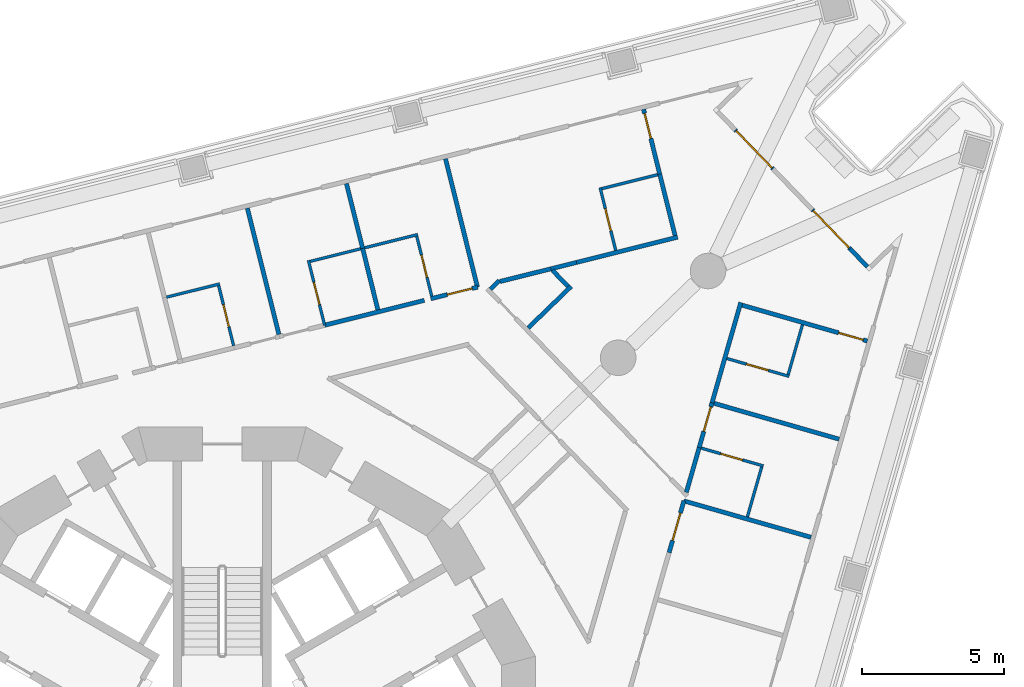
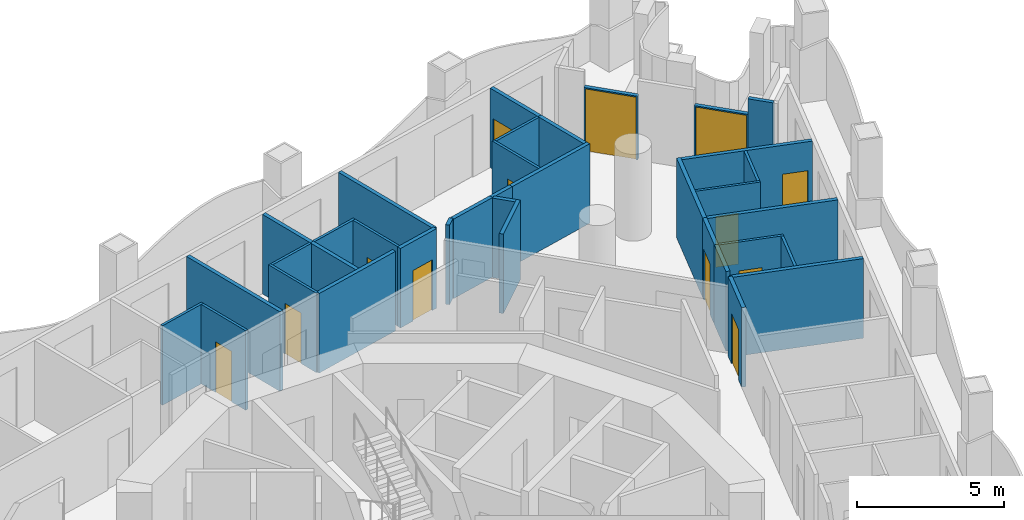
# One storey, part 10 of 19: 36 walls, 13 doors, 13 openings.
"""IFC4 building model written with IfcOpenShell, lengths in metres."""

from ifc_helpers import new_model, si_unit, direction, frame, frame_2d, origin, place, context, subcontext, project, spatial, polyline, rectangle, outline, extrude, material, layer, layer_set, type_object, element, fill, save


model = new_model("IFC4")

# Units and contexts
model_context = context("Model", 3, precision=1e-05, world=origin(), true_north=direction((0.0, 1.0)))
body_context = subcontext(model_context, "Body", "Model", "MODEL_VIEW")
ifc_project = project(units=[si_unit("LENGTHUNIT", "METRE"), si_unit("AREAUNIT", "SQUARE_METRE"), si_unit("VOLUMEUNIT", "CUBIC_METRE"), si_unit("PLANEANGLEUNIT", "RADIAN"), si_unit("MASSUNIT", "GRAM", prefix="KILO")], contexts=[model_context])

# Site, building, storey
site_placement = place(None, origin())
site = spatial("IfcSite", under=ifc_project, at=site_placement, CompositionType="ELEMENT")
building_placement = place(site_placement, origin())
building = spatial("IfcBuilding", under=site, at=building_placement, Name="Trine Commons Tower", CompositionType="ELEMENT")
storey_placement = place(building_placement, frame((0.0, 0.0, 98.10009765625)))
storey = spatial("IfcBuildingStorey", under=building, at=storey_placement, Name="L24", CompositionType="ELEMENT", Elevation=98.10009765625)

# Wall, opening, door
ifc_material_1 = material(Name="Aluminium-framed insulated wall panel", Category="aluminium")
ifc_layer_1 = layer(ifc_material_1, 0.14990234375)
ifc_layer_set_1 = layer_set([ifc_layer_1], Name="Aluminium-framed insulated wall panel")
wall_type_1 = type_object("IfcWallType", Name="Glazed frame wall 150, EI 60", PredefinedType="SOLIDWALL", material=ifc_layer_set_1)
wall_1_placement = place(storey_placement, frame((98.035400390625, 83.9482421875, 0.0), z_axis=(0.0, 0.0, 1.0), x_axis=(0.694665586762, -0.719332831566, 0.0)))
wall_1 = element("IfcWall", 1, at=wall_1_placement, inside=storey, type_object=wall_type_1, Name="Glazed frame wall P2.2", PredefinedType="SOLIDWALL", context=body_context, shape_type="SweptSolid", body=[
    extrude(outline(polyline([(0.0, -0.074951171875), (1.89990234375, -0.074951171875), (1.89990234375, 0.074951171875), (0.0, 0.074951171875), (0.0, -0.074951171875)])), origin(), (0.0, 0.0, 1.0), 2.64990234375),
])
opening_1_placement = place(wall_1_placement, frame((0.050048828125, 0.0, 0.0)))
opening_1 = element("IfcOpeningElement", 2, at=opening_1_placement, cuts=wall_1, Name="Opening BD-3P2-01", PredefinedType="OPENING", context=body_context, shape_type="SweptSolid", body=[
    extrude(rectangle(XDim=1.800048828125, YDim=2.60009765625, at=frame_2d((0.89990234375, 1.300048828125))), frame((0.0, 0.0849609375, 0.0), z_axis=(0.0, -1.0, 0.0), x_axis=(1.0, 0.0, 0.0)), (0.0, 0.0, 1.0), 0.169921875),
])
ifc_material_2 = material(Name="Anodised aluminium frame with double glazing", Category="aluminium")
door_type_1 = type_object("IfcDoorType", Name="Sliding loggia door 1800x2600", OperationType="SLIDING_TO_LEFT", PredefinedType="DOOR", material=ifc_material_2)
door_1_placement = place(opening_1_placement, origin())
door_1 = element("IfcDoor", 3, at=door_1_placement, inside=storey, type_object=door_type_1, Name="Loggia door P2 1", OperationType="SLIDING_TO_LEFT", OverallHeight=2.60009765625, OverallWidth=1.800048828125, PredefinedType="DOOR", context=body_context, shape_type="SweptSolid", body=[
    extrude(rectangle(XDim=1.800048828125, YDim=2.60009765625, at=frame_2d((0.89990234375, 1.300048828125))), frame((0.0, 0.02490234375, 0.0), z_axis=(0.0, -1.0, 0.0), x_axis=(1.0, 0.0, 0.0)), (0.0, 0.0, 1.0), 0.050048828125),
])
fill(opening_1, door_1)

wall_2_placement = place(storey_placement, frame((100.74462890625, 81.142822265625, 0.0), z_axis=(0.0, 0.0, 1.0), x_axis=(0.694599099672, -0.719397032753, 0.0)))
wall_2 = element("IfcWall", 4, at=wall_2_placement, inside=storey, type_object=wall_type_1, Name="Glazed frame wall P2.4", PredefinedType="SOLIDWALL", context=body_context, shape_type="SweptSolid", body=[
    extrude(outline(polyline([(0.0, -0.074951171875), (1.89990234375, -0.074951171875), (1.89990234375, 0.074951171875), (0.0, 0.074951171875), (0.0, -0.074951171875)])), origin(), (0.0, 0.0, 1.0), 2.64990234375),
])
opening_2_placement = place(wall_2_placement, frame((0.050048828125, 0.0, 0.0)))
opening_2 = element("IfcOpeningElement", 5, at=opening_2_placement, cuts=wall_2, Name="Opening BD-3P2-02", PredefinedType="OPENING", context=body_context, shape_type="SweptSolid", body=[
    extrude(rectangle(XDim=1.800048828125, YDim=2.60009765625, at=frame_2d((0.89990234375, 1.300048828125))), frame((0.0, 0.0849609375, 0.0), z_axis=(0.0, -1.0, 0.0), x_axis=(1.0, 0.0, 0.0)), (0.0, 0.0, 1.0), 0.169921875),
])
door_2_placement = place(opening_2_placement, origin())
door_2 = element("IfcDoor", 6, at=door_2_placement, inside=storey, type_object=door_type_1, Name="Loggia door P2 2", OperationType="SLIDING_TO_LEFT", OverallHeight=2.60009765625, OverallWidth=1.800048828125, PredefinedType="DOOR", context=body_context, shape_type="SweptSolid", body=[
    extrude(rectangle(XDim=1.800048828125, YDim=2.60009765625, at=frame_2d((0.89990234375, 1.300048828125))), frame((0.0, 0.02490234375, 0.0), z_axis=(0.0, -1.0, 0.0), x_axis=(1.0, 0.0, 0.0)), (0.0, 0.0, 1.0), 0.050048828125),
])
fill(opening_2, door_2)

# Walls
wall_3_placement = place(storey_placement, frame((102.064453125, 79.77587890625, 0.0), z_axis=(0.0, 0.0, 1.0), x_axis=(0.694794898962, -0.719207931252, 0.0)))
element("IfcWall", 7, at=wall_3_placement, inside=storey, type_object=wall_type_1, Name="Glazed frame wall P2.5", PredefinedType="SOLIDWALL", context=body_context, shape_type="SweptSolid", body=[
    extrude(outline(polyline([(0.889892578125, 0.074951171875), (0.0, 0.074951171875), (0.0, -0.074951171875), (0.889892578125, -0.074951171875), (0.889892578125, 0.074951171875)])), origin(), (0.0, 0.0, 1.0), 3.2998046875),
])
ifc_material_3 = material(Name="Gypsum plasterboard on steel stud", Category="steel")
ifc_layer_2 = layer(ifc_material_3, 0.14990234375)
ifc_layer_set_2 = layer_set([ifc_layer_2], Name="Gypsum plasterboard on steel stud")
wall_type_2 = type_object("IfcWallType", Name="Unit and corridor wall 150 mm, EI 60", PredefinedType="PARTITIONING", material=ifc_layer_set_2)
wall_4_placement = place(storey_placement, frame((80.8857421875, 81.1982421875, 0.0), z_axis=(0.0, 0.0, 1.0), x_axis=(0.241932529305, -0.970293074934, 0.0)))
element("IfcWall", 8, at=wall_4_placement, inside=storey, type_object=wall_type_2, Name="Partition 078", PredefinedType="PARTITIONING", context=body_context, shape_type="SweptSolid", body=[
    extrude(rectangle(XDim=4.572265625, YDim=0.14990234375, at=frame_2d((2.2861328125, 0.0))), origin(), (0.0, 0.0, 1.0), 3.2998046875),
])
wall_5_placement = place(storey_placement, frame((83.594970703125, 77.083984375, 0.0), z_axis=(0.0, 0.0, 1.0), x_axis=(0.97027343731, 0.242011274224, 0.0)))
element("IfcWall", 9, at=wall_5_placement, inside=storey, type_object=wall_type_2, Name="Partition 084", PredefinedType="PARTITIONING", context=body_context, shape_type="SweptSolid", body=[
    extrude(rectangle(XDim=3.615478515625, YDim=0.14990234375, at=frame_2d((1.8076171875, 0.0))), origin(), (0.0, 0.0, 1.0), 3.2998046875),
])
wall_6_placement = place(storey_placement, frame((84.36669921875, 82.066162109375, 0.0), z_axis=(0.0, 0.0, 1.0), x_axis=(0.242070735259, -0.970258604255, 0.0)))
element("IfcWall", 10, at=wall_6_placement, inside=storey, type_object=wall_type_2, Name="Partition 088", PredefinedType="PARTITIONING", context=body_context, shape_type="SweptSolid", body=[
    extrude(rectangle(XDim=2.347900390625, YDim=0.14990234375, at=frame_2d((1.173828125, 0.0))), origin(), (0.0, 0.0, 1.0), 3.2998046875),
])
wall_7_placement = place(storey_placement, frame((84.93505859375, 79.7880859375, 0.0), z_axis=(0.0, 0.0, 1.0), x_axis=(0.241812399695, -0.970323020109, 0.0)))
element("IfcWall", 11, at=wall_7_placement, inside=storey, type_object=wall_type_2, Name="Partition 089", PredefinedType="PARTITIONING", context=body_context, shape_type="SweptSolid", body=[
    extrude(rectangle(XDim=2.22412109375, YDim=0.14990234375, at=frame_2d((1.112060546875, 0.0))), origin(), (0.0, 0.0, 1.0), 3.2998046875),
])

# Wall, opening, door
wall_8_placement = place(storey_placement, frame((87.33056640625, 78.015869140625, 0.0), z_axis=(0.0, 0.0, 1.0), x_axis=(0.970480149454, 0.241181009858, 0.0)))
wall_8 = element("IfcWall", 12, at=wall_8_placement, inside=storey, type_object=wall_type_2, Name="Partition 096", PredefinedType="PARTITIONING", context=body_context, shape_type="SweptSolid", body=[
    extrude(rectangle(XDim=1.696533203125, YDim=0.14990234375, at=frame_2d((0.84814453125, 0.0))), origin(), (0.0, 0.0, 1.0), 3.2998046875),
])
opening_3_placement = place(wall_8_placement, frame((0.598876953125, 0.0, 0.0)))
opening_3 = element("IfcOpeningElement", 13, at=opening_3_placement, cuts=wall_8, Name="Opening D-3B14", PredefinedType="OPENING", context=body_context, shape_type="SweptSolid", body=[
    extrude(rectangle(XDim=0.89990234375, YDim=2.10009765625, at=frame_2d((0.449951171875, 1.050048828125))), frame((0.0, 0.0849609375, 0.0), z_axis=(0.0, -1.0, 0.0), x_axis=(1.0, 0.0, 0.0)), (0.0, 0.0, 1.0), 0.169921875),
])
ifc_material_4 = material(Name="Timber fire door set", Category="wood")
door_type_2 = type_object("IfcDoorType", Name="Bedroom door 900 x 2100, FD30S", OperationType="NOTDEFINED", PredefinedType="DOOR", material=ifc_material_4)
door_3_placement = place(opening_3_placement, origin())
door_3 = element("IfcDoor", 14, at=door_3_placement, inside=storey, type_object=door_type_2, Name="Door D-3B14", OperationType="SINGLE_SWING_RIGHT", OverallHeight=2.10009765625, OverallWidth=0.89990234375, PredefinedType="DOOR", context=body_context, shape_type="SweptSolid", body=[
    extrude(rectangle(XDim=0.89990234375, YDim=2.10009765625, at=frame_2d((0.449951171875, 1.050048828125))), frame((0.0, 0.02490234375, 0.0), z_axis=(0.0, -1.0, 0.0), x_axis=(1.0, 0.0, 0.0)), (0.0, 0.0, 1.0), 0.050048828125),
])
fill(opening_3, door_3)

# Walls
wall_9_placement = place(storey_placement, frame((87.8486328125, 82.93408203125, 0.0), z_axis=(0.0, 0.0, 1.0), x_axis=(0.24192986462, -0.970293739341, 0.0)))
element("IfcWall", 15, at=wall_9_placement, inside=storey, type_object=wall_type_2, Name="Partition 099", PredefinedType="PARTITIONING", context=body_context, shape_type="SweptSolid", body=[
    extrude(rectangle(XDim=4.64697265625, YDim=0.14990234375, at=frame_2d((2.323486328125, 0.0))), origin(), (0.0, 0.0, 1.0), 3.2998046875),
])
wall_10_placement = place(storey_placement, frame((89.431884765625, 78.354248046875, 0.0), z_axis=(0.0, 0.0, 1.0), x_axis=(0.71857486408, 0.695449613352, 0.0)))
element("IfcWall", 16, at=wall_10_placement, inside=storey, type_object=wall_type_2, Name="Partition 108", PredefinedType="PARTITIONING", context=body_context, shape_type="SweptSolid", body=[
    extrude(rectangle(XDim=0.432861328125, YDim=0.14990234375, at=frame_2d((0.21630859375, 0.0))), origin(), (0.0, 0.0, 1.0), 3.2998046875),
])
wall_11_placement = place(storey_placement, frame((89.76171875, 78.62109375, 0.0), z_axis=(0.0, 0.0, 1.0), x_axis=(0.970212352615, 0.242256043958, 0.0)))
element("IfcWall", 17, at=wall_11_placement, inside=storey, type_object=wall_type_2, Name="Partition 110", PredefinedType="PARTITIONING", context=body_context, shape_type="SweptSolid", body=[
    extrude(rectangle(XDim=1.849365234375, YDim=0.14990234375, at=frame_2d((0.9248046875, 0.0))), origin(), (0.0, 0.0, 1.0), 3.2998046875),
])
wall_12_placement = place(storey_placement, frame((90.751953125, 76.987060546875, 0.0), z_axis=(0.0, 0.0, 1.0), x_axis=(0.719152982376, 0.694851774079, 0.0)))
element("IfcWall", 18, at=wall_12_placement, inside=storey, type_object=wall_type_2, Name="Partition 114", PredefinedType="PARTITIONING", context=body_context, shape_type="SweptSolid", body=[
    extrude(rectangle(XDim=2.099609375, YDim=0.14990234375, at=frame_2d((1.0498046875, 0.0))), origin(), (0.0, 0.0, 1.0), 3.2998046875),
])
wall_13_placement = place(storey_placement, frame((91.608154296875, 79.01513671875, 0.0), z_axis=(0.0, 0.0, 1.0), x_axis=(0.694771305492, -0.71923072311, 0.0)))
element("IfcWall", 19, at=wall_13_placement, inside=storey, type_object=wall_type_2, Name="Partition 118", PredefinedType="PARTITIONING", context=body_context, shape_type="SweptSolid", body=[
    extrude(rectangle(XDim=0.78857421875, YDim=0.14990234375, at=frame_2d((0.394287109375, 0.0))), origin(), (0.0, 0.0, 1.0), 3.2998046875),
])
wall_14_placement = place(storey_placement, frame((91.555908203125, 79.069091796875, 0.0), z_axis=(0.0, 0.0, 1.0), x_axis=(0.970312917643, 0.241852934351, 0.0)))
element("IfcWall", 20, at=wall_14_placement, inside=storey, type_object=wall_type_2, Name="Partition 119", PredefinedType="PARTITIONING", context=body_context, shape_type="SweptSolid", body=[
    extrude(rectangle(XDim=0.92578125, YDim=0.14990234375, at=frame_2d((0.462890625, 0.0))), origin(), (0.0, 0.0, 1.0), 3.2998046875),
])
wall_15_placement = place(storey_placement, frame((92.4541015625, 79.29296875, 0.0), z_axis=(0.0, 0.0, 1.0), x_axis=(0.970299100739, 0.241908360967, 0.0)))
element("IfcWall", 21, at=wall_15_placement, inside=storey, type_object=wall_type_2, Name="Partition 124", PredefinedType="PARTITIONING", context=body_context, shape_type="SweptSolid", body=[
    extrude(rectangle(XDim=3.66357421875, YDim=0.14990234375, at=frame_2d((1.831787109375, 0.0))), origin(), (0.0, 0.0, 1.0), 3.2998046875),
])

# Wall, opening, door
wall_16_placement = place(storey_placement, frame((94.811767578125, 84.671142578125, 0.0), z_axis=(0.0, 0.0, 1.0), x_axis=(0.24200944289, -0.97027389409, 0.0)))
wall_16 = element("IfcWall", 22, at=wall_16_placement, inside=storey, type_object=wall_type_2, Name="Partition 137", PredefinedType="PARTITIONING", context=body_context, shape_type="SweptSolid", body=[
    extrude(rectangle(XDim=2.40185546875, YDim=0.14990234375, at=frame_2d((1.200927734375, 0.0))), origin(), (0.0, 0.0, 1.0), 3.2998046875),
])
opening_4_placement = place(wall_16_placement, frame((0.14990234375, 0.0, 0.0)))
opening_4 = element("IfcOpeningElement", 23, at=opening_4_placement, cuts=wall_16, Name="Opening D-3B15", PredefinedType="OPENING", context=body_context, shape_type="SweptSolid", body=[
    extrude(rectangle(XDim=0.89990234375, YDim=2.10009765625, at=frame_2d((0.449951171875, 1.050048828125))), frame((0.0, 0.0849609375, 0.0), z_axis=(0.0, -1.0, 0.0), x_axis=(1.0, 0.0, 0.0)), (0.0, 0.0, 1.0), 0.169921875),
])
door_4_placement = place(opening_4_placement, frame((0.89990234375, 0.0, 0.0), z_axis=(0.0, 0.0, 1.0), x_axis=(-1.0, 0.0, 0.0)))
door_4 = element("IfcDoor", 24, at=door_4_placement, inside=storey, type_object=door_type_2, Name="Door D-3B15", OperationType="SINGLE_SWING_RIGHT", OverallHeight=2.10009765625, OverallWidth=0.89990234375, PredefinedType="DOOR", context=body_context, shape_type="SweptSolid", body=[
    extrude(rectangle(XDim=0.89990234375, YDim=2.10009765625, at=frame_2d((0.449951171875, 1.050048828125))), frame((0.0, 0.02490234375, 0.0), z_axis=(0.0, -1.0, 0.0), x_axis=(1.0, 0.0, 0.0)), (0.0, 0.0, 1.0), 0.050048828125),
])
fill(opening_4, door_4)

# Wall
wall_17_placement = place(storey_placement, frame((95.37890625, 82.39697265625, 0.0), z_axis=(0.0, 0.0, 1.0), x_axis=(0.241814032712, -0.970322613147, 0.0)))
element("IfcWall", 25, at=wall_17_placement, inside=storey, type_object=wall_type_2, Name="Partition 140", PredefinedType="PARTITIONING", context=body_context, shape_type="SweptSolid", body=[
    extrude(rectangle(XDim=2.229248046875, YDim=0.14990234375, at=frame_2d((1.11474609375, 0.0))), origin(), (0.0, 0.0, 1.0), 3.2998046875),
])

# Wall, opening, door
wall_18_placement = place(storey_placement, frame((95.70703125, 69.092041015625, 0.0), z_axis=(0.0, 0.0, 1.0), x_axis=(0.275265230362, 0.961368323253, 0.0)))
wall_18 = element("IfcWall", 26, at=wall_18_placement, inside=storey, type_object=wall_type_2, Name="Partition 142", PredefinedType="PARTITIONING", context=body_context, shape_type="SweptSolid", body=[
    extrude(rectangle(XDim=1.896240234375, YDim=0.14990234375, at=frame_2d((0.9482421875, 0.0))), origin(), (0.0, 0.0, 1.0), 3.2998046875),
])
opening_5_placement = place(wall_18_placement, frame((0.446044921875, 0.0, 0.0)))
opening_5 = element("IfcOpeningElement", 27, at=opening_5_placement, cuts=wall_18, Name="Opening D-3B18", PredefinedType="OPENING", context=body_context, shape_type="SweptSolid", body=[
    extrude(rectangle(XDim=1.0, YDim=2.10009765625, at=frame_2d((0.5, 1.050048828125))), frame((0.0, 0.0849609375, 0.0), z_axis=(0.0, -1.0, 0.0), x_axis=(1.0, 0.0, 0.0)), (0.0, 0.0, 1.0), 0.169921875),
])
ifc_material_5 = material(Name="Painted timber", Category="wood")
door_type_3 = type_object("IfcDoorType", Name="Amenity room door 1000 x 2100, NOT RATED", OperationType="NOTDEFINED", PredefinedType="DOOR", material=ifc_material_5)
door_5_placement = place(opening_5_placement, frame((1.0, 0.0, 0.0), z_axis=(0.0, 0.0, 1.0), x_axis=(-1.0, 0.0, 0.0)))
door_5 = element("IfcDoor", 28, at=door_5_placement, inside=storey, type_object=door_type_3, Name="Door D-3B18", OperationType="SINGLE_SWING_RIGHT", OverallHeight=2.10009765625, OverallWidth=1.0, PredefinedType="DOOR", context=body_context, shape_type="SweptSolid", body=[
    extrude(rectangle(XDim=1.0, YDim=2.10009765625, at=frame_2d((0.5, 1.050048828125))), frame((0.0, 0.02490234375, 0.0), z_axis=(0.0, -1.0, 0.0), x_axis=(1.0, 0.0, 0.0)), (0.0, 0.0, 1.0), 0.050048828125),
])
fill(opening_5, door_5)

# Walls
wall_19_placement = place(storey_placement, frame((96.22802734375, 70.910888671875, 0.0), z_axis=(0.0, 0.0, 1.0), x_axis=(0.961263836782, -0.275629889699, 0.0)))
element("IfcWall", 29, at=wall_19_placement, inside=storey, type_object=wall_type_2, Name="Partition 144", PredefinedType="PARTITIONING", context=body_context, shape_type="SweptSolid", body=[
    extrude(rectangle(XDim=4.6474609375, YDim=0.14990234375, at=frame_2d((2.32373046875, 0.0))), origin(), (0.0, 0.0, 1.0), 3.2998046875),
])
wall_20_placement = place(storey_placement, frame((96.314697265625, 71.212158203125, 0.0), z_axis=(0.0, 0.0, 1.0), x_axis=(0.275540757527, 0.9612893898, 0.0)))
element("IfcWall", 30, at=wall_20_placement, inside=storey, type_object=wall_type_2, Name="Partition 145", PredefinedType="PARTITIONING", context=body_context, shape_type="SweptSolid", body=[
    extrude(rectangle(XDim=1.69140625, YDim=0.14990234375, at=frame_2d((0.845703125, 0.0))), origin(), (0.0, 0.0, 1.0), 3.2998046875),
])

# Wall, opening, door
wall_21_placement = place(storey_placement, frame((96.764892578125, 72.781982421875, 0.0), z_axis=(0.0, 0.0, 1.0), x_axis=(0.275428171862, 0.961321653842, 0.0)))
wall_21 = element("IfcWall", 31, at=wall_21_placement, inside=storey, type_object=wall_type_2, Name="Partition 146", PredefinedType="PARTITIONING", context=body_context, shape_type="SweptSolid", body=[
    extrude(rectangle(XDim=1.6416015625, YDim=0.14990234375, at=frame_2d((0.82080078125, 0.0))), origin(), (0.0, 0.0, 1.0), 3.2998046875),
])
opening_6_placement = place(wall_21_placement, frame((0.591552734375, 0.0, 0.0)))
opening_6 = element("IfcOpeningElement", 32, at=opening_6_placement, cuts=wall_21, Name="Opening D-3B17", PredefinedType="OPENING", context=body_context, shape_type="SweptSolid", body=[
    extrude(rectangle(XDim=0.89990234375, YDim=2.10009765625, at=frame_2d((0.449951171875, 1.050048828125))), frame((0.0, 0.0849609375, 0.0), z_axis=(0.0, -1.0, 0.0), x_axis=(1.0, 0.0, 0.0)), (0.0, 0.0, 1.0), 0.169921875),
])
door_6_placement = place(opening_6_placement, frame((0.89990234375, 0.0, 0.0), z_axis=(0.0, 0.0, 1.0), x_axis=(-1.0, 0.0, 0.0)))
door_6 = element("IfcDoor", 33, at=door_6_placement, inside=storey, type_object=door_type_2, Name="Door D-3B17", OperationType="SINGLE_SWING_LEFT", OverallHeight=2.10009765625, OverallWidth=0.89990234375, PredefinedType="DOOR", context=body_context, shape_type="SweptSolid", body=[
    extrude(rectangle(XDim=0.89990234375, YDim=2.10009765625, at=frame_2d((0.449951171875, 1.050048828125))), frame((0.0, 0.02490234375, 0.0), z_axis=(0.0, -1.0, 0.0), x_axis=(1.0, 0.0, 0.0)), (0.0, 0.0, 1.0), 0.050048828125),
])
fill(opening_6, door_6)

# Walls
wall_22_placement = place(storey_placement, frame((97.217041015625, 74.360107421875, 0.0), z_axis=(0.0, 0.0, 1.0), x_axis=(0.275601093683, 0.961272093198, 0.0)))
element("IfcWall", 34, at=wall_22_placement, inside=storey, type_object=wall_type_2, Name="Partition 148", PredefinedType="PARTITIONING", context=body_context, shape_type="SweptSolid", body=[
    extrude(rectangle(XDim=3.663818359375, YDim=0.14990234375, at=frame_2d((1.83203125, 0.0))), origin(), (0.0, 0.0, 1.0), 3.2998046875),
])
wall_23_placement = place(storey_placement, frame((97.2890625, 74.33935546875, 0.0), z_axis=(0.0, 0.0, 1.0), x_axis=(0.961269673231, -0.275609534171, 0.0)))
element("IfcWall", 35, at=wall_23_placement, inside=storey, type_object=wall_type_2, Name="Partition 149", PredefinedType="PARTITIONING", context=body_context, shape_type="SweptSolid", body=[
    extrude(rectangle(XDim=4.572509765625, YDim=0.14990234375, at=frame_2d((2.2861328125, 0.0))), origin(), (0.0, 0.0, 1.0), 3.2998046875),
])

# Wall, opening, door
wall_24_placement = place(storey_placement, frame((98.278076171875, 77.789306640625, 0.0), z_axis=(0.0, 0.0, 1.0), x_axis=(0.961269673231, -0.275609534171, 0.0)))
wall_24 = element("IfcWall", 36, at=wall_24_placement, inside=storey, type_object=wall_type_2, Name="Partition 151", PredefinedType="PARTITIONING", context=body_context, shape_type="SweptSolid", body=[
    extrude(rectangle(XDim=4.572509765625, YDim=0.14990234375, at=frame_2d((2.2861328125, 0.0))), origin(), (0.0, 0.0, 1.0), 3.2998046875),
])
opening_7_placement = place(wall_24_placement, frame((3.522705078125, 0.0, 0.0)))
opening_7 = element("IfcOpeningElement", 37, at=opening_7_placement, cuts=wall_24, Name="Opening D-3B16", PredefinedType="OPENING", context=body_context, shape_type="SweptSolid", body=[
    extrude(rectangle(XDim=0.89990234375, YDim=2.10009765625, at=frame_2d((0.449951171875, 1.050048828125))), frame((0.0, 0.0849609375, 0.0), z_axis=(0.0, -1.0, 0.0), x_axis=(1.0, 0.0, 0.0)), (0.0, 0.0, 1.0), 0.169921875),
])
door_7_placement = place(opening_7_placement, frame((0.89990234375, 0.0, 0.0), z_axis=(0.0, 0.0, 1.0), x_axis=(-1.0, 0.0, 0.0)))
door_7 = element("IfcDoor", 38, at=door_7_placement, inside=storey, type_object=door_type_2, Name="Door D-3B16", OperationType="SINGLE_SWING_LEFT", OverallHeight=2.10009765625, OverallWidth=0.89990234375, PredefinedType="DOOR", context=body_context, shape_type="SweptSolid", body=[
    extrude(rectangle(XDim=0.89990234375, YDim=2.10009765625, at=frame_2d((0.449951171875, 1.050048828125))), frame((0.0, 0.02490234375, 0.0), z_axis=(0.0, -1.0, 0.0), x_axis=(1.0, 0.0, 0.0)), (0.0, 0.0, 1.0), 0.050048828125),
])
fill(opening_7, door_7)

# Wall
ifc_layer_3 = layer(ifc_material_3, 0.10009765625)
ifc_layer_set_3 = layer_set([ifc_layer_3], Name="Gypsum plasterboard on steel stud")
wall_type_3 = type_object("IfcWallType", Name="Unit partition 100 mm, no rating", PredefinedType="PARTITIONING", material=ifc_layer_set_3)
wall_25_placement = place(storey_placement, frame((78.044921875, 78.0703125, 0.0), z_axis=(0.0, 0.0, 1.0), x_axis=(0.970276645771, 0.241998410475, 0.0)))
element("IfcWall", 39, at=wall_25_placement, inside=storey, type_object=wall_type_3, Name="Partition 067", PredefinedType="PARTITIONING", context=body_context, shape_type="SweptSolid", body=[
    extrude(rectangle(XDim=1.9248046875, YDim=0.10009765625, at=frame_2d((0.96240234375, 0.0))), origin(), (0.0, 0.0, 1.0), 3.2998046875),
])

# Wall, opening, door
wall_26_placement = place(storey_placement, frame((79.876220703125, 78.4755859375, 0.0), z_axis=(0.0, 0.0, 1.0), x_axis=(0.241637657135, -0.970366550668, 0.0)))
wall_26 = element("IfcWall", 40, at=wall_26_placement, inside=storey, type_object=wall_type_3, Name="Partition 073", PredefinedType="PARTITIONING", context=body_context, shape_type="SweptSolid", body=[
    extrude(rectangle(XDim=2.17529296875, YDim=0.10009765625, at=frame_2d((1.087646484375, 0.0))), origin(), (0.0, 0.0, 1.0), 3.2998046875),
])
opening_8_placement = place(wall_26_placement, frame((0.6875, 0.0, 0.0)))
opening_8 = element("IfcOpeningElement", 41, at=opening_8_placement, cuts=wall_26, Name="Opening D-3B47", PredefinedType="OPENING", context=body_context, shape_type="SweptSolid", body=[
    extrude(rectangle(XDim=0.800048828125, YDim=2.10009765625, at=frame_2d((0.39990234375, 1.050048828125))), frame((0.0, 0.06005859375, 0.0), z_axis=(0.0, -1.0, 0.0), x_axis=(1.0, 0.0, 0.0)), (0.0, 0.0, 1.0), 0.1201171875),
])
door_type_4 = type_object("IfcDoorType", Name="Internal door 800 x 2100, NOT RATED", OperationType="NOTDEFINED", PredefinedType="DOOR", material=ifc_material_5)
door_8_placement = place(opening_8_placement, origin())
door_8 = element("IfcDoor", 42, at=door_8_placement, inside=storey, type_object=door_type_4, Name="Door D-3B47", OperationType="SINGLE_SWING_RIGHT", OverallHeight=2.10009765625, OverallWidth=0.800048828125, PredefinedType="DOOR", context=body_context, shape_type="SweptSolid", body=[
    extrude(rectangle(XDim=0.800048828125, YDim=2.10009765625, at=frame_2d((0.39990234375, 1.050048828125))), frame((0.0, 0.02490234375, 0.0), z_axis=(0.0, -1.0, 0.0), x_axis=(1.0, 0.0, 0.0)), (0.0, 0.0, 1.0), 0.050048828125),
])
fill(opening_8, door_8)

wall_27_placement = place(storey_placement, frame((83.031005859375, 79.365478515625, 0.0), z_axis=(0.0, 0.0, 1.0), x_axis=(0.241728942951, -0.970343814398, 0.0)))
wall_27 = element("IfcWall", 43, at=wall_27_placement, inside=storey, type_object=wall_type_3, Name="Partition 081", PredefinedType="PARTITIONING", context=body_context, shape_type="SweptSolid", body=[
    extrude(rectangle(XDim=2.35009765625, YDim=0.10009765625, at=frame_2d((1.175048828125, 0.0))), origin(), (0.0, 0.0, 1.0), 3.2998046875),
])
opening_9_placement = place(wall_27_placement, frame((0.800048828125, 0.0, 0.0)))
opening_9 = element("IfcOpeningElement", 44, at=opening_9_placement, cuts=wall_27, Name="Opening D-3B48", PredefinedType="OPENING", context=body_context, shape_type="SweptSolid", body=[
    extrude(rectangle(XDim=0.800048828125, YDim=2.10009765625, at=frame_2d((0.39990234375, 1.050048828125))), frame((0.0, 0.06005859375, 0.0), z_axis=(0.0, -1.0, 0.0), x_axis=(1.0, 0.0, 0.0)), (0.0, 0.0, 1.0), 0.1201171875),
])
door_9_placement = place(opening_9_placement, frame((0.800048828125, 0.0, 0.0), z_axis=(0.0, 0.0, 1.0), x_axis=(-1.0, 0.0, 0.0)))
door_9 = element("IfcDoor", 45, at=door_9_placement, inside=storey, type_object=door_type_4, Name="Door D-3B48", OperationType="SINGLE_SWING_LEFT", OverallHeight=2.10009765625, OverallWidth=0.800048828125, PredefinedType="DOOR", context=body_context, shape_type="SweptSolid", body=[
    extrude(rectangle(XDim=0.800048828125, YDim=2.10009765625, at=frame_2d((0.39990234375, 1.050048828125))), frame((0.0, 0.02490234375, 0.0), z_axis=(0.0, -1.0, 0.0), x_axis=(1.0, 0.0, 0.0)), (0.0, 0.0, 1.0), 0.050048828125),
])
fill(opening_9, door_9)

# Walls
wall_28_placement = place(storey_placement, frame((83.091552734375, 79.3291015625, 0.0), z_axis=(0.0, 0.0, 1.0), x_axis=(0.970370298601, 0.241622605718, 0.0)))
element("IfcWall", 46, at=wall_28_placement, inside=storey, type_object=wall_type_3, Name="Partition 082", PredefinedType="PARTITIONING", context=body_context, shape_type="SweptSolid", body=[
    extrude(rectangle(XDim=1.82470703125, YDim=0.10009765625, at=frame_2d((0.912353515625, 0.0))), origin(), (0.0, 0.0, 1.0), 3.2998046875),
])
wall_29_placement = place(storey_placement, frame((85.0078125, 79.80615234375, 0.0), z_axis=(0.0, 0.0, 1.0), x_axis=(0.970246858135, 0.242117810743, 0.0)))
element("IfcWall", 47, at=wall_29_placement, inside=storey, type_object=wall_type_3, Name="Partition 090", PredefinedType="PARTITIONING", context=body_context, shape_type="SweptSolid", body=[
    extrude(rectangle(XDim=1.925048828125, YDim=0.10009765625, at=frame_2d((0.96240234375, 0.0))), origin(), (0.0, 0.0, 1.0), 3.2998046875),
])

# Wall, opening, door
wall_30_placement = place(storey_placement, frame((86.839111328125, 80.21142578125, 0.0), z_axis=(0.0, 0.0, 1.0), x_axis=(0.241875032927, -0.97030740925, 0.0)))
wall_30 = element("IfcWall", 48, at=wall_30_placement, inside=storey, type_object=wall_type_3, Name="Partition 091", PredefinedType="PARTITIONING", context=body_context, shape_type="SweptSolid", body=[
    extrude(rectangle(XDim=2.174072265625, YDim=0.10009765625, at=frame_2d((1.0869140625, 0.0))), origin(), (0.0, 0.0, 1.0), 3.2998046875),
])
opening_10_placement = place(wall_30_placement, frame((0.687255859375, 0.0, 0.0)))
opening_10 = element("IfcOpeningElement", 49, at=opening_10_placement, cuts=wall_30, Name="Opening D-3B49", PredefinedType="OPENING", context=body_context, shape_type="SweptSolid", body=[
    extrude(rectangle(XDim=0.800048828125, YDim=2.10009765625, at=frame_2d((0.39990234375, 1.050048828125))), frame((0.0, 0.06005859375, 0.0), z_axis=(0.0, -1.0, 0.0), x_axis=(1.0, 0.0, 0.0)), (0.0, 0.0, 1.0), 0.1201171875),
])
door_10_placement = place(opening_10_placement, origin())
door_10 = element("IfcDoor", 50, at=door_10_placement, inside=storey, type_object=door_type_4, Name="Door D-3B49", OperationType="SINGLE_SWING_RIGHT", OverallHeight=2.10009765625, OverallWidth=0.800048828125, PredefinedType="DOOR", context=body_context, shape_type="SweptSolid", body=[
    extrude(rectangle(XDim=0.800048828125, YDim=2.10009765625, at=frame_2d((0.39990234375, 1.050048828125))), frame((0.0, 0.02490234375, 0.0), z_axis=(0.0, -1.0, 0.0), x_axis=(1.0, 0.0, 0.0)), (0.0, 0.0, 1.0), 0.050048828125),
])
fill(opening_10, door_10)

wall_31_placement = place(storey_placement, frame((93.281982421875, 81.92041015625, 0.0), z_axis=(0.0, 0.0, 1.0), x_axis=(0.241777706381, -0.970331665307, 0.0)))
wall_31 = element("IfcWall", 51, at=wall_31_placement, inside=storey, type_object=wall_type_3, Name="Partition 130", PredefinedType="PARTITIONING", context=body_context, shape_type="SweptSolid", body=[
    extrude(rectangle(XDim=2.27392578125, YDim=0.10009765625, at=frame_2d((1.136962890625, 0.0))), origin(), (0.0, 0.0, 1.0), 3.2998046875),
])
opening_11_placement = place(wall_31_placement, frame((0.76220703125, 0.0, 0.0)))
opening_11 = element("IfcOpeningElement", 52, at=opening_11_placement, cuts=wall_31, Name="Opening D-3B50", PredefinedType="OPENING", context=body_context, shape_type="SweptSolid", body=[
    extrude(rectangle(XDim=0.800048828125, YDim=2.10009765625, at=frame_2d((0.39990234375, 1.050048828125))), frame((0.0, 0.06005859375, 0.0), z_axis=(0.0, -1.0, 0.0), x_axis=(1.0, 0.0, 0.0)), (0.0, 0.0, 1.0), 0.1201171875),
])
door_11_placement = place(opening_11_placement, frame((0.800048828125, 0.0, 0.0), z_axis=(0.0, 0.0, 1.0), x_axis=(-1.0, 0.0, 0.0)))
door_11 = element("IfcDoor", 53, at=door_11_placement, inside=storey, type_object=door_type_4, Name="Door D-3B50", OperationType="SINGLE_SWING_LEFT", OverallHeight=2.10009765625, OverallWidth=0.800048828125, PredefinedType="DOOR", context=body_context, shape_type="SweptSolid", body=[
    extrude(rectangle(XDim=0.800048828125, YDim=2.10009765625, at=frame_2d((0.39990234375, 1.050048828125))), frame((0.0, 0.02490234375, 0.0), z_axis=(0.0, -1.0, 0.0), x_axis=(1.0, 0.0, 0.0)), (0.0, 0.0, 1.0), 0.050048828125),
])
fill(opening_11, door_11)

# Wall
wall_32_placement = place(storey_placement, frame((93.342529296875, 81.884033203125, 0.0), z_axis=(0.0, 0.0, 1.0), x_axis=(0.970192124519, 0.242337041168, 0.0)))
element("IfcWall", 54, at=wall_32_placement, inside=storey, type_object=wall_type_3, Name="Partition 131", PredefinedType="PARTITIONING", context=body_context, shape_type="SweptSolid", body=[
    extrude(rectangle(XDim=2.02490234375, YDim=0.10009765625, at=frame_2d((1.012451171875, 0.0))), origin(), (0.0, 0.0, 1.0), 3.2998046875),
])

# Wall, opening, door
wall_33_placement = place(storey_placement, frame((96.838134765625, 72.765380859375, 0.0), z_axis=(0.0, 0.0, 1.0), x_axis=(0.961219536458, -0.275784340983, 0.0)))
wall_33 = element("IfcWall", 55, at=wall_33_placement, inside=storey, type_object=wall_type_3, Name="Partition 147", PredefinedType="PARTITIONING", context=body_context, shape_type="SweptSolid", body=[
    extrude(rectangle(XDim=2.274169921875, YDim=0.10009765625, at=frame_2d((1.13720703125, 0.0))), origin(), (0.0, 0.0, 1.0), 3.2998046875),
])
opening_12_placement = place(wall_33_placement, frame((0.7119140625, 0.0, 0.0)))
opening_12 = element("IfcOpeningElement", 56, at=opening_12_placement, cuts=wall_33, Name="Opening D-3B52", PredefinedType="OPENING", context=body_context, shape_type="SweptSolid", body=[
    extrude(rectangle(XDim=0.800048828125, YDim=2.10009765625, at=frame_2d((0.39990234375, 1.050048828125))), frame((0.0, 0.06005859375, 0.0), z_axis=(0.0, -1.0, 0.0), x_axis=(1.0, 0.0, 0.0)), (0.0, 0.0, 1.0), 0.1201171875),
])
door_12_placement = place(opening_12_placement, origin())
door_12 = element("IfcDoor", 57, at=door_12_placement, inside=storey, type_object=door_type_4, Name="Door D-3B52", OperationType="SINGLE_SWING_LEFT", OverallHeight=2.10009765625, OverallWidth=0.800048828125, PredefinedType="DOOR", context=body_context, shape_type="SweptSolid", body=[
    extrude(rectangle(XDim=0.800048828125, YDim=2.10009765625, at=frame_2d((0.39990234375, 1.050048828125))), frame((0.0, 0.02490234375, 0.0), z_axis=(0.0, -1.0, 0.0), x_axis=(1.0, 0.0, 0.0)), (0.0, 0.0, 1.0), 0.050048828125),
])
fill(opening_12, door_12)

wall_34_placement = place(storey_placement, frame((97.7412109375, 75.914306640625, 0.0), z_axis=(0.0, 0.0, 1.0), x_axis=(0.961244019441, -0.27569899363, 0.0)))
wall_34 = element("IfcWall", 58, at=wall_34_placement, inside=storey, type_object=wall_type_3, Name="Partition 150", PredefinedType="PARTITIONING", context=body_context, shape_type="SweptSolid", body=[
    extrude(rectangle(XDim=2.27490234375, YDim=0.10009765625, at=frame_2d((1.137451171875, 0.0))), origin(), (0.0, 0.0, 1.0), 3.2998046875),
])
opening_13_placement = place(wall_34_placement, frame((0.71240234375, 0.0, 0.0)))
opening_13 = element("IfcOpeningElement", 59, at=opening_13_placement, cuts=wall_34, Name="Opening D-3B51", PredefinedType="OPENING", context=body_context, shape_type="SweptSolid", body=[
    extrude(rectangle(XDim=0.800048828125, YDim=2.10009765625, at=frame_2d((0.39990234375, 1.050048828125))), frame((0.0, 0.06005859375, 0.0), z_axis=(0.0, -1.0, 0.0), x_axis=(1.0, 0.0, 0.0)), (0.0, 0.0, 1.0), 0.1201171875),
])
door_13_placement = place(opening_13_placement, frame((0.800048828125, 0.0, 0.0), z_axis=(0.0, 0.0, 1.0), x_axis=(-1.0, 0.0, 0.0)))
door_13 = element("IfcDoor", 60, at=door_13_placement, inside=storey, type_object=door_type_4, Name="Door D-3B51", OperationType="SINGLE_SWING_RIGHT", OverallHeight=2.10009765625, OverallWidth=0.800048828125, PredefinedType="DOOR", context=body_context, shape_type="SweptSolid", body=[
    extrude(rectangle(XDim=0.800048828125, YDim=2.10009765625, at=frame_2d((0.39990234375, 1.050048828125))), frame((0.0, 0.02490234375, 0.0), z_axis=(0.0, -1.0, 0.0), x_axis=(1.0, 0.0, 0.0)), (0.0, 0.0, 1.0), 0.050048828125),
])
fill(opening_13, door_13)

# Walls
for number, where, z_axis, x_axis, name in (
    (61, (98.459716796875, 70.34912109375, 0.0), (0.0, 0.0, 1.0), (0.275251026539, 0.96137239007, 0.0), "Partition 152"),
    (62, (99.893798828125, 75.34912109375, 0.0), (0.0, 0.0, 1.0), (0.275374633487, 0.961336991503, 0.0), "Partition 153"),
):
    element("IfcWall", number, at=place(storey_placement, frame(where, z_axis=z_axis, x_axis=x_axis)), inside=storey, type_object=wall_type_3, Name=name, PredefinedType="PARTITIONING", context=body_context, shape_type="SweptSolid", body=[
        extrude(rectangle(XDim=1.825439453125, YDim=0.10009765625, at=frame_2d((0.91259765625, 0.0))), origin(), (0.0, 0.0, 1.0), 3.2998046875),
    ])

save(model, "model.ifc")
